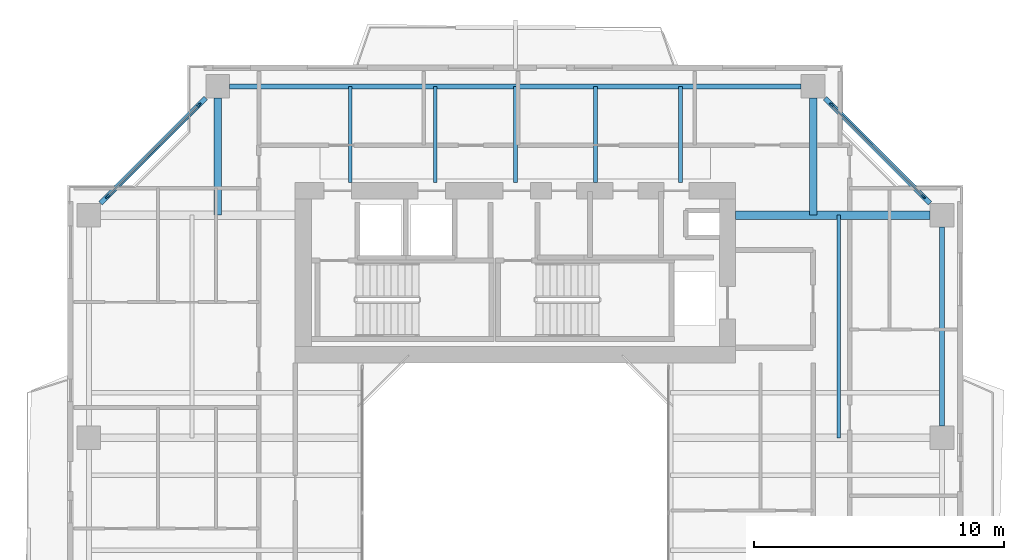
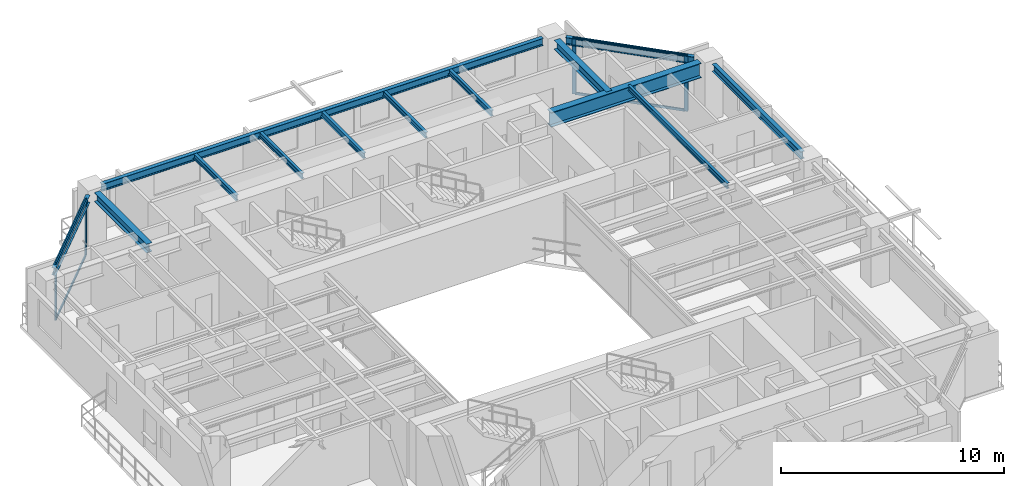
# One storey, part 8 of 17: 13 beams, 8 members, 2 elements without a shape of their own.
"""IFC4 building model written with IfcOpenShell, lengths in metres."""

from ifc_helpers import new_model, si_unit, direction, frame, origin, origin_2d, place, context, subcontext, project, spatial, rectangle, i_section, extrude, source, transform, mapped, material, layer, layer_set, material_profile, profile_set, type_object, element, aggregate, save


model = new_model("IFC4")

# Units and contexts
model_context = context("Model", 3, precision=1e-05, world=origin(), true_north=direction((0.0, 1.0)))
body_context = subcontext(model_context, "Body", "Model", "MODEL_VIEW")
ifc_project = project(units=[si_unit("LENGTHUNIT", "METRE"), si_unit("AREAUNIT", "SQUARE_METRE"), si_unit("VOLUMEUNIT", "CUBIC_METRE"), si_unit("PLANEANGLEUNIT", "RADIAN"), si_unit("MASSUNIT", "GRAM", prefix="KILO"), si_unit("THERMODYNAMICTEMPERATUREUNIT", "KELVIN"), si_unit("POWERUNIT", "WATT")], contexts=[model_context])

# Site, building, storey
site_placement = place(None, origin())
site = spatial("IfcSite", under=ifc_project, at=site_placement, CompositionType="ELEMENT")
building_placement = place(site_placement, origin())
building = spatial("IfcBuilding", under=site, at=building_placement, Name="Qiaomeng Ring Towers", CompositionType="ELEMENT")
storey_placement = place(building_placement, frame((0.0, 0.0, 150.25)))
storey = spatial("IfcBuildingStorey", under=building, at=storey_placement, Name="L43", CompositionType="ELEMENT", Elevation=150.25)

# Beams
ifc_material_1 = material(Name="Steel Q355B", Category="steel")
ifc_material_profile_1 = material_profile(ifc_material_1, i_section(OverallWidth=0.14990234375, OverallDepth=0.300048828125, WebThickness=0.006591796875, FlangeThickness=0.009033203125, FilletRadius=0.012939453125, at=origin_2d()), Name="HN 300x150x6.5x9")
ifc_profile_set_1 = profile_set([ifc_material_profile_1], Name="Steel Q355B")
beam_type_1 = type_object("IfcBeamType", Name="STR-BM-HN300", PredefinedType="JOIST", material=ifc_profile_set_1)
shared_shape_1 = source(origin(), body_context, "Body", "SweptSolid", [
    extrude(i_section(OverallWidth=0.14990234375, OverallDepth=0.300048828125, WebThickness=0.006591796875, FlangeThickness=0.009033203125, FilletRadius=0.012939453125, at=origin_2d()), origin(), (0.0, 0.0, 1.0), 3.85009765625),
])
for number, where, z_axis, x_axis, name in (
    (1, (12.39990234375, 36.199951171875, 2.919921875), (0.0, 1.0, 0.0), (-1.0, 0.0, 0.0), "L43 beam STR-JST-L43-T1N-1"),
    (2, (15.800048828125, 36.199951171875, 2.919921875), (0.0, 1.0, 0.0), (-1.0, 0.0, 0.0), "L43 beam STR-JST-L43-T1N-2"),
    (3, (19.0, 36.199951171875, 2.919921875), (0.0, 1.0, 0.0), (-1.0, 0.0, 0.0), "L43 beam STR-JST-L43-T1N-3"),
    (4, (22.199951171875, 36.199951171875, 2.919921875), (0.0, 1.0, 0.0), (-1.0, 0.0, 0.0), "L43 beam STR-JST-L43-T1N-4"),
    (5, (25.60009765625, 36.199951171875, 2.919921875), (0.0, 1.0, 0.0), (-1.0, 0.0, 0.0), "L43 beam STR-JST-L43-T1N-5"),
):
    element("IfcBeam", number, at=place(storey_placement, frame(where, z_axis=z_axis, x_axis=x_axis)), inside=storey, type_object=beam_type_1, Name=name, PredefinedType="JOIST", context=body_context, shape_type="MappedRepresentation", body=[
        mapped(shared_shape_1, transform((0.0, 0.0, 0.0), x_axis=(1.0, 0.0, 0.0), y_axis=(0.0, 1.0, 0.0), z_axis=(0.0, 0.0, 1.0), scale=1.0)),
    ])
shared_shape_2 = source(origin(), body_context, "Body", "SweptSolid", [
    extrude(i_section(OverallWidth=0.14990234375, OverallDepth=0.300048828125, WebThickness=0.006591796875, FlangeThickness=0.009033203125, FilletRadius=0.012939453125, at=origin_2d()), origin(), (0.0, 0.0, 1.0), 8.89990234375),
])
beam_1_placement = place(storey_placement, frame((31.925048828125, 26.0, 2.919921875), z_axis=(0.0, 1.0, 0.0), x_axis=(-1.0, 0.0, 0.0)))
element("IfcBeam", 6, at=beam_1_placement, inside=storey, type_object=beam_type_1, Name="L43 beam STR-JST-L43-T1C-EN", PredefinedType="JOIST", context=body_context, shape_type="MappedRepresentation", body=[
    mapped(shared_shape_2, transform((0.0, 0.0, 0.0), x_axis=(1.0, 0.0, 0.0), y_axis=(0.0, 1.0, 0.0), z_axis=(0.0, 0.0, 1.0), scale=1.0)),
])
ifc_material_profile_2 = material_profile(ifc_material_1, i_section(OverallWidth=0.199951171875, OverallDepth=0.39990234375, WebThickness=0.008056640625, FlangeThickness=0.012939453125, FilletRadius=0.01611328125, at=origin_2d()), Name="HN 400x200x8x13")
ifc_profile_set_2 = profile_set([ifc_material_profile_2], Name="Steel Q355B")
beam_type_2 = type_object("IfcBeamType", Name="STR-BM-HN400", PredefinedType="SPANDREL", material=ifc_profile_set_2)
shared_shape_3 = source(origin(), body_context, "Body", "SweptSolid", [
    extrude(i_section(OverallWidth=0.199951171875, OverallDepth=0.39990234375, WebThickness=0.008056640625, FlangeThickness=0.012939453125, FilletRadius=0.01611328125, at=origin_2d()), origin(), (0.0, 0.0, 1.0), 22.85205078125),
])
beam_2_placement = place(storey_placement, frame((30.426025390625, 40.050048828125, 2.8701171875), z_axis=(-1.0, 0.0, 0.0), x_axis=(0.0, -1.0, 0.0)))
element("IfcBeam", 7, at=beam_2_placement, inside=storey, type_object=beam_type_2, Name="L43 beam STR-SP-L43-T1-N2-N1", PredefinedType="SPANDREL", context=body_context, shape_type="MappedRepresentation", body=[
    mapped(shared_shape_3, transform((0.0, 0.0, 0.0), x_axis=(1.0, 0.0, 0.0), y_axis=(0.0, 1.0, 0.0), z_axis=(0.0, 0.0, 1.0), scale=1.0)),
])
shared_shape_4 = source(origin(), body_context, "Body", "SweptSolid", [
    extrude(i_section(OverallWidth=0.199951171875, OverallDepth=0.39990234375, WebThickness=0.008056640625, FlangeThickness=0.012939453125, FilletRadius=0.01611328125, at=origin_2d()), origin(), (0.0, 0.0, 1.0), 5.941650390625),
])
for number, where, z_axis, x_axis, name in (
    (8, (35.57568359375, 35.374267578125, 2.8701171875), (-0.707106781187, 0.707106781187, 0.0), (-0.707106781187, -0.707106781187, 0.0), "L43 beam STR-SP-L43-T1-E4-N2"),
    (9, (6.625732421875, 39.57568359375, 2.8701171875), (-0.707106781187, -0.707106781187, 0.0), (0.707106781187, -0.707106781187, 0.0), "L43 beam STR-SP-L43-T1-N1-W4"),
):
    element("IfcBeam", number, at=place(storey_placement, frame(where, z_axis=z_axis, x_axis=x_axis)), inside=storey, type_object=beam_type_2, Name=name, PredefinedType="SPANDREL", context=body_context, shape_type="MappedRepresentation", body=[
        mapped(shared_shape_4, transform((0.0, 0.0, 0.0), x_axis=(1.0, 0.0, 0.0), y_axis=(0.0, 1.0, 0.0), z_axis=(0.0, 0.0, 1.0), scale=1.0)),
    ])
shared_shape_5 = source(origin(), body_context, "Body", "SweptSolid", [
    extrude(i_section(OverallWidth=0.199951171875, OverallDepth=0.39990234375, WebThickness=0.008056640625, FlangeThickness=0.012939453125, FilletRadius=0.01611328125, at=origin_2d()), origin(), (0.0, 0.0, 1.0), 7.951904296875),
])
beam_3_placement = place(storey_placement, frame((36.050048828125, 26.47412109375, 2.8701171875), z_axis=(0.0, 1.0, 0.0), x_axis=(-1.0, 0.0, 0.0)))
element("IfcBeam", 10, at=beam_3_placement, inside=storey, type_object=beam_type_2, Name="L43 beam STR-SP-L43-T1-E3-E4", PredefinedType="SPANDREL", context=body_context, shape_type="MappedRepresentation", body=[
    mapped(shared_shape_5, transform((0.0, 0.0, 0.0), x_axis=(1.0, 0.0, 0.0), y_axis=(0.0, 1.0, 0.0), z_axis=(0.0, 0.0, 1.0), scale=1.0)),
])
ifc_material_2 = material(Name="Steel Q390GJC", Category="steel")
ifc_material_profile_3 = material_profile(ifc_material_2, i_section(OverallWidth=0.35009765625, OverallDepth=0.800048828125, WebThickness=0.01611328125, FlangeThickness=0.028076171875, at=origin_2d()), Name="WH 800x350x16x28")
ifc_profile_set_3 = profile_set([ifc_material_profile_3], Name="Steel Q390GJC")
beam_type_3 = type_object("IfcBeamType", Name="STR-BM-WH800", PredefinedType="BEAM", material=ifc_profile_set_3)
shared_shape_6 = source(origin(), body_context, "Body", "SweptSolid", [
    extrude(i_section(OverallWidth=0.35009765625, OverallDepth=0.800048828125, WebThickness=0.01611328125, FlangeThickness=0.028076171875, at=origin_2d()), origin(), (0.0, 0.0, 1.0), 7.77587890625),
])
beam_4_placement = place(storey_placement, frame((27.800048828125, 34.89990234375, 2.669921875), z_axis=(1.0, 0.0, 0.0), x_axis=(0.0, 1.0, 0.0)))
element("IfcBeam", 11, at=beam_4_placement, inside=storey, type_object=beam_type_3, Name="L43 beam STR-BM-L43-T1-RAD-E4", PredefinedType="BEAM", context=body_context, shape_type="MappedRepresentation", body=[
    mapped(shared_shape_6, transform((0.0, 0.0, 0.0), x_axis=(1.0, 0.0, 0.0), y_axis=(0.0, 1.0, 0.0), z_axis=(0.0, 0.0, 1.0), scale=1.0)),
])
ifc_material_profile_4 = material_profile(ifc_material_1, i_section(OverallWidth=0.300048828125, OverallDepth=0.488037109375, WebThickness=0.010986328125, FlangeThickness=0.01806640625, FilletRadius=0.02587890625, at=origin_2d()), Name="HM 488x300x11x18")
ifc_profile_set_4 = profile_set([ifc_material_profile_4], Name="Steel Q355B")
beam_type_4 = type_object("IfcBeamType", Name="STR-BM-HM488", PredefinedType="BEAM", material=ifc_profile_set_4)
shared_shape_7 = source(origin(), body_context, "Body", "SweptSolid", [
    extrude(i_section(OverallWidth=0.300048828125, OverallDepth=0.488037109375, WebThickness=0.010986328125, FlangeThickness=0.01806640625, FilletRadius=0.02587890625, at=origin_2d()), origin(), (0.0, 0.0, 1.0), 4.676025390625),
])
for number, where, z_axis, x_axis, name in (
    (12, (7.10009765625, 39.575927734375, 2.825927734375), (0.0, -1.0, 0.0), (1.0, 0.0, 0.0), "L43 beam STR-BM-L43-T1-RAD-N1"),
    (13, (30.89990234375, 39.575927734375, 2.825927734375), (0.0, -1.0, 0.0), (1.0, 0.0, 0.0), "L43 beam STR-BM-L43-T1-RAD-N2"),
):
    element("IfcBeam", number, at=place(storey_placement, frame(where, z_axis=z_axis, x_axis=x_axis)), inside=storey, type_object=beam_type_4, Name=name, PredefinedType="BEAM", context=body_context, shape_type="MappedRepresentation", body=[
        mapped(shared_shape_7, transform((0.0, 0.0, 0.0), x_axis=(1.0, 0.0, 0.0), y_axis=(0.0, 1.0, 0.0), z_axis=(0.0, 0.0, 1.0), scale=1.0)),
    ])

# Curtain wall, members
ifc_material_3 = material(Name="Fluorocarbon dark-grey aluminium", Category="aluminium")
ifc_layer = layer(ifc_material_3, 0.14990234375, Name="Fluorocarbon dark-grey aluminium")
ifc_layer_set = layer_set([ifc_layer], Name="Fluorocarbon dark-grey aluminium")
curtain_wall_type = type_object("IfcCurtainWallType", Name="ARC-CW-3", PredefinedType="NOTDEFINED", material=ifc_layer_set)
curtain_wall_1_placement = place(storey_placement, origin())
curtain_wall_1 = element("IfcCurtainWall", 14, at=curtain_wall_1_placement, inside=storey, type_object=curtain_wall_type, Name="L43 Curtain Wall CW3", PredefinedType="NOTDEFINED")
ifc_material_profile_5 = material_profile(ifc_material_3, rectangle(XDim=0.070068359375, YDim=0.179931640625, at=origin_2d()), Name="ALU MULL 70x180")
ifc_profile_set_5 = profile_set([ifc_material_profile_5], Name="Fluorocarbon dark-grey aluminium")
member_type_1 = type_object("IfcMemberType", Name="ARC-CWM-160", PredefinedType="MULLION", material=ifc_profile_set_5)
shared_shape_8 = source(origin(), body_context, "Body", "SweptSolid", [
    extrude(rectangle(XDim=0.070068359375, YDim=0.179931640625, at=origin_2d()), origin(), (0.0, 0.0, 1.0), 3.070068359375),
])
member_1_placement = place(storey_placement, frame((35.310302734375, 35.6396484375, 0.0), z_axis=(0.0, 0.0, 1.0), x_axis=(-0.707106781187, -0.707106781187, 0.0)))
member_1 = element("IfcMember", 15, at=member_1_placement, type_object=member_type_1, Name="CW3 mullion 1", PredefinedType="MULLION", context=body_context, shape_type="MappedRepresentation", body=[
    mapped(shared_shape_8, transform((0.0, 0.0, 0.0), x_axis=(1.0, 0.0, 0.0), y_axis=(0.0, 1.0, 0.0), z_axis=(0.0, 0.0, 1.0), scale=1.0)),
])
member_2_placement = place(storey_placement, frame((31.6396484375, 39.310302734375, 0.0), z_axis=(0.0, 0.0, 1.0), x_axis=(-0.707106781187, -0.707106781187, 0.0)))
member_2 = element("IfcMember", 16, at=member_2_placement, type_object=member_type_1, Name="CW3 mullion 2", PredefinedType="MULLION", context=body_context, shape_type="MappedRepresentation", body=[
    mapped(shared_shape_8, transform((0.0, 0.0, 0.0), x_axis=(1.0, 0.0, 0.0), y_axis=(0.0, 1.0, 0.0), z_axis=(0.0, 0.0, 1.0), scale=1.0)),
])

curtain_wall_2_placement = place(storey_placement, origin())
curtain_wall_2 = element("IfcCurtainWall", 17, at=curtain_wall_2_placement, inside=storey, type_object=curtain_wall_type, Name="L43 Curtain Wall CW3", PredefinedType="NOTDEFINED")
member_3_placement = place(storey_placement, frame((6.3603515625, 39.310302734375, 0.0), z_axis=(0.0, 0.0, 1.0), x_axis=(0.707106781187, -0.707106781187, 0.0)))
member_3 = element("IfcMember", 18, at=member_3_placement, type_object=member_type_1, Name="CW3 mullion 1", PredefinedType="MULLION", context=body_context, shape_type="MappedRepresentation", body=[
    mapped(shared_shape_8, transform((0.0, 0.0, 0.0), x_axis=(1.0, 0.0, 0.0), y_axis=(0.0, 1.0, 0.0), z_axis=(0.0, 0.0, 1.0), scale=1.0)),
])
member_4_placement = place(storey_placement, frame((2.689697265625, 35.6396484375, 0.0), z_axis=(0.0, 0.0, 1.0), x_axis=(0.707106781187, -0.707106781187, 0.0)))
member_4 = element("IfcMember", 19, at=member_4_placement, type_object=member_type_1, Name="CW3 mullion 2", PredefinedType="MULLION", context=body_context, shape_type="MappedRepresentation", body=[
    mapped(shared_shape_8, transform((0.0, 0.0, 0.0), x_axis=(1.0, 0.0, 0.0), y_axis=(0.0, 1.0, 0.0), z_axis=(0.0, 0.0, 1.0), scale=1.0)),
])

# Member
ifc_material_profile_6 = material_profile(ifc_material_3, rectangle(XDim=0.06494140625, YDim=0.1298828125, at=origin_2d()), Name="ALU TRAN 65x130")
ifc_profile_set_6 = profile_set([ifc_material_profile_6], Name="Fluorocarbon dark-grey aluminium")
member_type_2 = type_object("IfcMemberType", Name="ARC-CWT-120", PredefinedType="USERDEFINED", material=ifc_profile_set_6)
shared_shape_9 = source(origin(), body_context, "Body", "SweptSolid", [
    extrude(rectangle(XDim=0.06494140625, YDim=0.1298828125, at=origin_2d()), origin(), (0.0, 0.0, 1.0), 5.12060546875),
])
member_5_placement = place(storey_placement, frame((35.285400390625, 35.66455078125, 0.032470703125), z_axis=(-0.707106781187, 0.707106781187, 0.0), x_axis=(-0.707106781187, -0.707106781187, 0.0)))
member_5 = element("IfcMember", 20, at=member_5_placement, type_object=member_type_2, Name="CW3 transom 1.1", ObjectType="TRANSOM", PredefinedType="USERDEFINED", context=body_context, shape_type="MappedRepresentation", body=[
    mapped(shared_shape_9, transform((0.0, 0.0, 0.0), x_axis=(1.0, 0.0, 0.0), y_axis=(0.0, 1.0, 0.0), z_axis=(0.0, 0.0, 1.0), scale=1.0)),
])

member_6_placement = place(storey_placement, frame((35.285400390625, 35.66455078125, 3.03759765625), z_axis=(-0.707106781187, 0.707106781187, 0.0), x_axis=(-0.707106781187, -0.707106781187, 0.0)))
member_6 = element("IfcMember", 21, at=member_6_placement, type_object=member_type_2, Name="CW3 transom 1.2", ObjectType="TRANSOM", PredefinedType="USERDEFINED", context=body_context, shape_type="MappedRepresentation", body=[
    mapped(shared_shape_9, transform((0.0, 0.0, 0.0), x_axis=(1.0, 0.0, 0.0), y_axis=(0.0, 1.0, 0.0), z_axis=(0.0, 0.0, 1.0), scale=1.0)),
])

aggregate(curtain_wall_1, [member_1, member_2, member_5, member_6])

member_7_placement = place(storey_placement, frame((6.33544921875, 39.285400390625, 0.032470703125), z_axis=(-0.707106781187, -0.707106781187, 0.0), x_axis=(0.707106781187, -0.707106781187, 0.0)))
member_7 = element("IfcMember", 22, at=member_7_placement, type_object=member_type_2, Name="CW3 transom 1.1", ObjectType="TRANSOM", PredefinedType="USERDEFINED", context=body_context, shape_type="MappedRepresentation", body=[
    mapped(shared_shape_9, transform((0.0, 0.0, 0.0), x_axis=(1.0, 0.0, 0.0), y_axis=(0.0, 1.0, 0.0), z_axis=(0.0, 0.0, 1.0), scale=1.0)),
])

member_8_placement = place(storey_placement, frame((6.33544921875, 39.285400390625, 3.03759765625), z_axis=(-0.707106781187, -0.707106781187, 0.0), x_axis=(0.707106781187, -0.707106781187, 0.0)))
member_8 = element("IfcMember", 23, at=member_8_placement, type_object=member_type_2, Name="CW3 transom 1.2", ObjectType="TRANSOM", PredefinedType="USERDEFINED", context=body_context, shape_type="MappedRepresentation", body=[
    mapped(shared_shape_9, transform((0.0, 0.0, 0.0), x_axis=(1.0, 0.0, 0.0), y_axis=(0.0, 1.0, 0.0), z_axis=(0.0, 0.0, 1.0), scale=1.0)),
])

aggregate(curtain_wall_2, [member_3, member_4, member_7, member_8])

save(model, "model.ifc")
